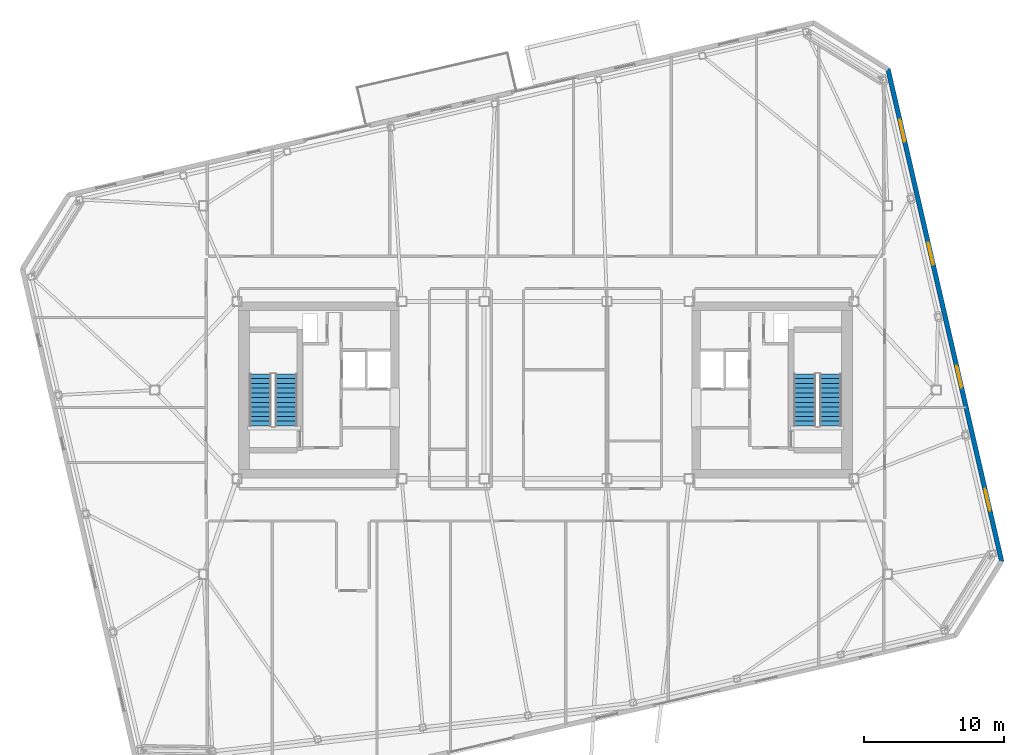
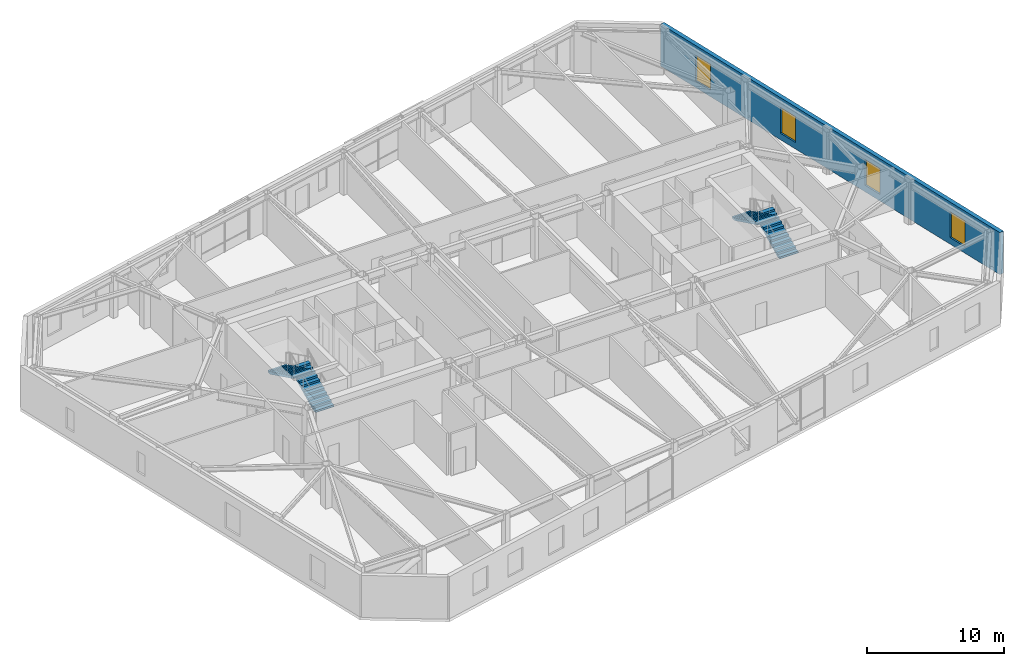
# One storey, part 20 of 24: 4 stair flights, 4 windows, 1 wall, 4 openings, 2 elements without a shape of their own.
"""IFC4 building model written with IfcOpenShell, lengths in metres."""

from ifc_helpers import new_model, si_unit, direction, frame, frame_2d, origin, place, context, subcontext, project, spatial, polyline, rectangle, outline, extrude, material, layer, layer_set, type_object, element, fill, aggregate, save


model = new_model("IFC4")

# Units and contexts
model_context = context("Model", 3, precision=1e-05, world=origin(), true_north=direction((0.0, 1.0)))
body_context = subcontext(model_context, "Body", "Model", "MODEL_VIEW")
ifc_project = project(units=[si_unit("LENGTHUNIT", "METRE"), si_unit("AREAUNIT", "SQUARE_METRE"), si_unit("VOLUMEUNIT", "CUBIC_METRE"), si_unit("PLANEANGLEUNIT", "RADIAN"), si_unit("MASSUNIT", "GRAM", prefix="KILO")], contexts=[model_context])

# Site, building, storey
site_placement = place(None, origin())
site = spatial("IfcSite", under=ifc_project, at=site_placement, CompositionType="ELEMENT")
building_placement = place(site_placement, origin())
building = spatial("IfcBuilding", under=site, at=building_placement, Name="Tavrogorsk Clinical Tower", CompositionType="ELEMENT")
storey_placement = place(building_placement, frame((0.0, 0.0, 321.0)))
storey = spatial("IfcBuildingStorey", under=building, at=storey_placement, Name="L75", CompositionType="ELEMENT", Elevation=321.0)

# Wall, openings, windows
ifc_material_1 = material(Name="Precast concrete B45 with limestone cladding", Category="masonry")
ifc_layer = layer(ifc_material_1, 0.340087890625)
ifc_layer_set = layer_set([ifc_layer], Name="Precast concrete B45 with limestone cladding")
wall_type = type_object("IfcWallType", Name="PrecastLimestoneWall_340", PredefinedType="STANDARD", material=ifc_layer_set)
wall_placement = place(storey_placement, frame((32.685791015625, -12.27587890625, 0.0), z_axis=(0.0, 0.0, 1.0), x_axis=(-0.224953091034, 0.974369594576, 0.0)))
wall = element("IfcWall", 1, at=wall_placement, inside=storey, type_object=wall_type, Name="L75 E Pleated Limestone Wing Wall", PredefinedType="STANDARD", context=body_context, shape_type="SweptSolid", body=[
    extrude(rectangle(XDim=36.199951171875, YDim=0.340087890625, at=frame_2d((18.10009765625, 0.0))), origin(), (0.0, 0.0, 1.0), 3.739990234375),
])
opening_1_placement = place(wall_placement, frame((3.72509765625, 0.0, 0.580078125)))
opening_1 = element("IfcOpeningElement", 2, at=opening_1_placement, cuts=wall, Name="Opening WN-07", PredefinedType="OPENING", context=body_context, shape_type="SweptSolid", body=[
    extrude(rectangle(XDim=1.60009765625, YDim=2.300048828125, at=frame_2d((0.800048828125, 1.14990234375))), frame((0.0, 0.179931640625, 0.0), z_axis=(0.0, -1.0, 0.0), x_axis=(1.0, 0.0, 0.0)), (0.0, 0.0, 1.0), 0.360107421875),
])
opening_2_placement = place(wall_placement, frame((12.77490234375, 0.0, 0.580078125)))
opening_2 = element("IfcOpeningElement", 3, at=opening_2_placement, cuts=wall, Name="Opening WN-07", PredefinedType="OPENING", context=body_context, shape_type="SweptSolid", body=[
    extrude(rectangle(XDim=1.60009765625, YDim=2.300048828125, at=frame_2d((0.800048828125, 1.14990234375))), frame((0.0, 0.179931640625, 0.0), z_axis=(0.0, -1.0, 0.0), x_axis=(1.0, 0.0, 0.0)), (0.0, 0.0, 1.0), 0.360107421875),
])
opening_3_placement = place(wall_placement, frame((21.824951171875, 0.0, 0.580078125)))
opening_3 = element("IfcOpeningElement", 4, at=opening_3_placement, cuts=wall, Name="Opening WN-07", PredefinedType="OPENING", context=body_context, shape_type="SweptSolid", body=[
    extrude(rectangle(XDim=1.60009765625, YDim=2.300048828125, at=frame_2d((0.800048828125, 1.14990234375))), frame((0.0, 0.179931640625, 0.0), z_axis=(0.0, -1.0, 0.0), x_axis=(1.0, 0.0, 0.0)), (0.0, 0.0, 1.0), 0.360107421875),
])
opening_4_placement = place(wall_placement, frame((30.875, 0.0, 0.580078125)))
opening_4 = element("IfcOpeningElement", 5, at=opening_4_placement, cuts=wall, Name="Opening WN-07", PredefinedType="OPENING", context=body_context, shape_type="SweptSolid", body=[
    extrude(rectangle(XDim=1.60009765625, YDim=2.300048828125, at=frame_2d((0.800048828125, 1.14990234375))), frame((0.0, 0.179931640625, 0.0), z_axis=(0.0, -1.0, 0.0), x_axis=(1.0, 0.0, 0.0)), (0.0, 0.0, 1.0), 0.360107421875),
])
ifc_material_2 = material(Name="Thermally broken aluminium frame and triple IGU", Category="aluminium")
window_type = type_object("IfcWindowType", Name="PleatSlotWin_1600x2300", PartitioningType="SINGLE_PANEL", PredefinedType="WINDOW", material=ifc_material_2)
window_1_placement = place(opening_1_placement, origin())
window_1 = element("IfcWindow", 6, at=window_1_placement, inside=storey, type_object=window_type, Name="L75 E Pleat Slot Window 1", OverallHeight=2.300048828125, OverallWidth=1.60009765625, PartitioningType="SINGLE_PANEL", PredefinedType="WINDOW", context=body_context, shape_type="SweptSolid", body=[
    extrude(rectangle(XDim=1.60009765625, YDim=2.300048828125, at=frame_2d((0.800048828125, 1.14990234375))), frame((0.0, 0.030029296875, 0.0), z_axis=(0.0, -1.0, 0.0), x_axis=(1.0, 0.0, 0.0)), (0.0, 0.0, 1.0), 0.06005859375),
])
fill(opening_1, window_1)
window_2_placement = place(opening_2_placement, origin())
window_2 = element("IfcWindow", 7, at=window_2_placement, inside=storey, type_object=window_type, Name="L75 E Pleat Slot Window 2", OverallHeight=2.300048828125, OverallWidth=1.60009765625, PartitioningType="SINGLE_PANEL", PredefinedType="WINDOW", context=body_context, shape_type="SweptSolid", body=[
    extrude(rectangle(XDim=1.60009765625, YDim=2.300048828125, at=frame_2d((0.800048828125, 1.14990234375))), frame((0.0, 0.030029296875, 0.0), z_axis=(0.0, -1.0, 0.0), x_axis=(1.0, 0.0, 0.0)), (0.0, 0.0, 1.0), 0.06005859375),
])
fill(opening_2, window_2)
window_3_placement = place(opening_3_placement, origin())
window_3 = element("IfcWindow", 8, at=window_3_placement, inside=storey, type_object=window_type, Name="L75 E Pleat Slot Window 3", OverallHeight=2.300048828125, OverallWidth=1.60009765625, PartitioningType="SINGLE_PANEL", PredefinedType="WINDOW", context=body_context, shape_type="SweptSolid", body=[
    extrude(rectangle(XDim=1.60009765625, YDim=2.300048828125, at=frame_2d((0.800048828125, 1.14990234375))), frame((0.0, 0.030029296875, 0.0), z_axis=(0.0, -1.0, 0.0), x_axis=(1.0, 0.0, 0.0)), (0.0, 0.0, 1.0), 0.06005859375),
])
fill(opening_3, window_3)
window_4_placement = place(opening_4_placement, origin())
window_4 = element("IfcWindow", 9, at=window_4_placement, inside=storey, type_object=window_type, Name="L75 E Pleat Slot Window 4", OverallHeight=2.300048828125, OverallWidth=1.60009765625, PartitioningType="SINGLE_PANEL", PredefinedType="WINDOW", context=body_context, shape_type="SweptSolid", body=[
    extrude(rectangle(XDim=1.60009765625, YDim=2.300048828125, at=frame_2d((0.800048828125, 1.14990234375))), frame((0.0, 0.030029296875, 0.0), z_axis=(0.0, -1.0, 0.0), x_axis=(1.0, 0.0, 0.0)), (0.0, 0.0, 1.0), 0.06005859375),
])
fill(opening_4, window_4)

# Stair, stair flights
ifc_material_3 = material(Name="Concrete B60", Category="concrete")
stair_type = type_object("IfcStairType", Name="CoreStairAssembly", PredefinedType="HALF_TURN_STAIR", material=ifc_material_3)
stair_1_placement = place(storey_placement, origin())
stair_1 = element("IfcStair", 10, at=stair_1_placement, inside=storey, type_object=stair_type, Name="L75 ST-W", PredefinedType="HALF_TURN_STAIR")
ifc_material_4 = material(Name="Concrete B60", Category="concrete")
stair_flight_type = type_object("IfcStairFlightType", Name="CoreStairFlight", PredefinedType="STRAIGHT", material=ifc_material_4)
stair_flight_1_placement = place(storey_placement, frame((-18.574951171875, -2.574951171875, 0.0), z_axis=(0.0, 0.0, 1.0), x_axis=(0.0, 1.0, 0.0)))
stair_flight_1 = element("IfcStairFlight", 11, at=stair_flight_1_placement, type_object=stair_flight_type, Name="ST-W flight 1", NumberOfRisers=12, NumberOfTreads=11, PredefinedType="STRAIGHT", RiserHeight=0.166666667, TreadLength=0.34, context=body_context, shape_type="SweptSolid", body=[
    extrude(outline(polyline([(0.0, 0.0), (0.0, 0.166748046875), (0.340087890625, 0.166748046875), (0.340087890625, 0.333251953125), (0.679931640625, 0.333251953125), (0.679931640625, 0.5), (1.02001953125, 0.5), (1.02001953125, 0.666748046875), (1.360107421875, 0.666748046875), (1.360107421875, 0.833251953125), (1.699951171875, 0.833251953125), (1.699951171875, 1.0), (2.0400390625, 1.0), (2.0400390625, 1.166748046875), (2.3798828125, 1.166748046875), (2.3798828125, 1.333251953125), (2.719970703125, 1.333251953125), (2.719970703125, 1.5), (3.06005859375, 1.5), (3.06005859375, 1.666748046875), (3.39990234375, 1.666748046875), (3.39990234375, 1.833251953125), (3.739990234375, 1.833251953125), (3.739990234375, 2.0), (3.739990234375, 1.66650390625), (0.340576171875, 0.0), (0.0, 0.0)])), frame((0.0, 0.77490234375, 0.0), z_axis=(0.0, -1.0, 0.0), x_axis=(1.0, 0.0, 0.0)), (0.0, 0.0, 1.0), 1.550048828125),
])
stair_flight_2_placement = place(storey_placement, frame((-20.425048828125, 1.1650390625, 2.0), z_axis=(0.0, 0.0, 1.0), x_axis=(0.0, -1.0, 0.0)))
stair_flight_2 = element("IfcStairFlight", 12, at=stair_flight_2_placement, type_object=stair_flight_type, Name="ST-W flight 2", NumberOfRisers=12, NumberOfTreads=11, PredefinedType="STRAIGHT", RiserHeight=0.166666667, TreadLength=0.34, context=body_context, shape_type="SweptSolid", body=[
    extrude(outline(polyline([(0.0, 0.0), (0.0, 0.166748046875), (0.340087890625, 0.166748046875), (0.340087890625, 0.333251953125), (0.679931640625, 0.333251953125), (0.679931640625, 0.5), (1.02001953125, 0.5), (1.02001953125, 0.666748046875), (1.360107421875, 0.666748046875), (1.360107421875, 0.833251953125), (1.699951171875, 0.833251953125), (1.699951171875, 1.0), (2.0400390625, 1.0), (2.0400390625, 1.166748046875), (2.3798828125, 1.166748046875), (2.3798828125, 1.333251953125), (2.719970703125, 1.333251953125), (2.719970703125, 1.5), (3.06005859375, 1.5), (3.06005859375, 1.666748046875), (3.39990234375, 1.666748046875), (3.39990234375, 1.833251953125), (3.739990234375, 1.833251953125), (3.739990234375, 2.0), (3.739990234375, 1.66650390625), (0.340576171875, 0.0), (0.0, 0.0)])), frame((0.0, 0.77490234375, 0.0), z_axis=(0.0, -1.0, 0.0), x_axis=(1.0, 0.0, 0.0)), (0.0, 0.0, 1.0), 1.550048828125),
])
aggregate(stair_1, [stair_flight_1, stair_flight_2])

stair_2_placement = place(storey_placement, origin())
stair_2 = element("IfcStair", 13, at=stair_2_placement, inside=storey, type_object=stair_type, Name="L75 ST-E", PredefinedType="HALF_TURN_STAIR")
stair_flight_3_placement = place(storey_placement, frame((20.425048828125, -2.574951171875, 0.0), z_axis=(0.0, 0.0, 1.0), x_axis=(0.0, 1.0, 0.0)))
stair_flight_3 = element("IfcStairFlight", 14, at=stair_flight_3_placement, type_object=stair_flight_type, Name="ST-E flight 1", NumberOfRisers=12, NumberOfTreads=11, PredefinedType="STRAIGHT", RiserHeight=0.166666667, TreadLength=0.34, context=body_context, shape_type="SweptSolid", body=[
    extrude(outline(polyline([(0.0, 0.0), (0.0, 0.166748046875), (0.340087890625, 0.166748046875), (0.340087890625, 0.333251953125), (0.679931640625, 0.333251953125), (0.679931640625, 0.5), (1.02001953125, 0.5), (1.02001953125, 0.666748046875), (1.360107421875, 0.666748046875), (1.360107421875, 0.833251953125), (1.699951171875, 0.833251953125), (1.699951171875, 1.0), (2.0400390625, 1.0), (2.0400390625, 1.166748046875), (2.3798828125, 1.166748046875), (2.3798828125, 1.333251953125), (2.719970703125, 1.333251953125), (2.719970703125, 1.5), (3.06005859375, 1.5), (3.06005859375, 1.666748046875), (3.39990234375, 1.666748046875), (3.39990234375, 1.833251953125), (3.739990234375, 1.833251953125), (3.739990234375, 2.0), (3.739990234375, 1.66650390625), (0.340576171875, 0.0), (0.0, 0.0)])), frame((0.0, 0.77490234375, 0.0), z_axis=(0.0, -1.0, 0.0), x_axis=(1.0, 0.0, 0.0)), (0.0, 0.0, 1.0), 1.550048828125),
])
stair_flight_4_placement = place(storey_placement, frame((18.574951171875, 1.1650390625, 2.0), z_axis=(0.0, 0.0, 1.0), x_axis=(0.0, -1.0, 0.0)))
stair_flight_4 = element("IfcStairFlight", 15, at=stair_flight_4_placement, type_object=stair_flight_type, Name="ST-E flight 2", NumberOfRisers=12, NumberOfTreads=11, PredefinedType="STRAIGHT", RiserHeight=0.166666667, TreadLength=0.34, context=body_context, shape_type="SweptSolid", body=[
    extrude(outline(polyline([(0.0, 0.0), (0.0, 0.166748046875), (0.340087890625, 0.166748046875), (0.340087890625, 0.333251953125), (0.679931640625, 0.333251953125), (0.679931640625, 0.5), (1.02001953125, 0.5), (1.02001953125, 0.666748046875), (1.360107421875, 0.666748046875), (1.360107421875, 0.833251953125), (1.699951171875, 0.833251953125), (1.699951171875, 1.0), (2.0400390625, 1.0), (2.0400390625, 1.166748046875), (2.3798828125, 1.166748046875), (2.3798828125, 1.333251953125), (2.719970703125, 1.333251953125), (2.719970703125, 1.5), (3.06005859375, 1.5), (3.06005859375, 1.666748046875), (3.39990234375, 1.666748046875), (3.39990234375, 1.833251953125), (3.739990234375, 1.833251953125), (3.739990234375, 2.0), (3.739990234375, 1.66650390625), (0.340576171875, 0.0), (0.0, 0.0)])), frame((0.0, 0.77490234375, 0.0), z_axis=(0.0, -1.0, 0.0), x_axis=(1.0, 0.0, 0.0)), (0.0, 0.0, 1.0), 1.550048828125),
])
aggregate(stair_2, [stair_flight_3, stair_flight_4])

save(model, "model.ifc")
